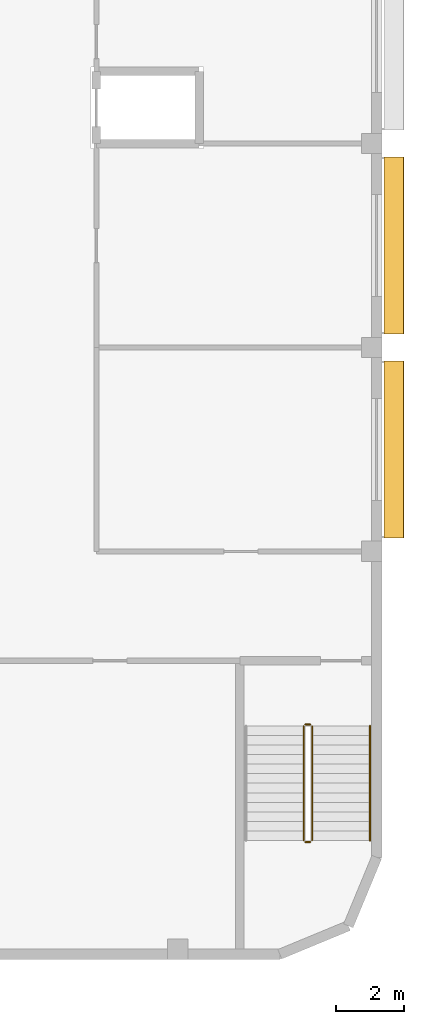
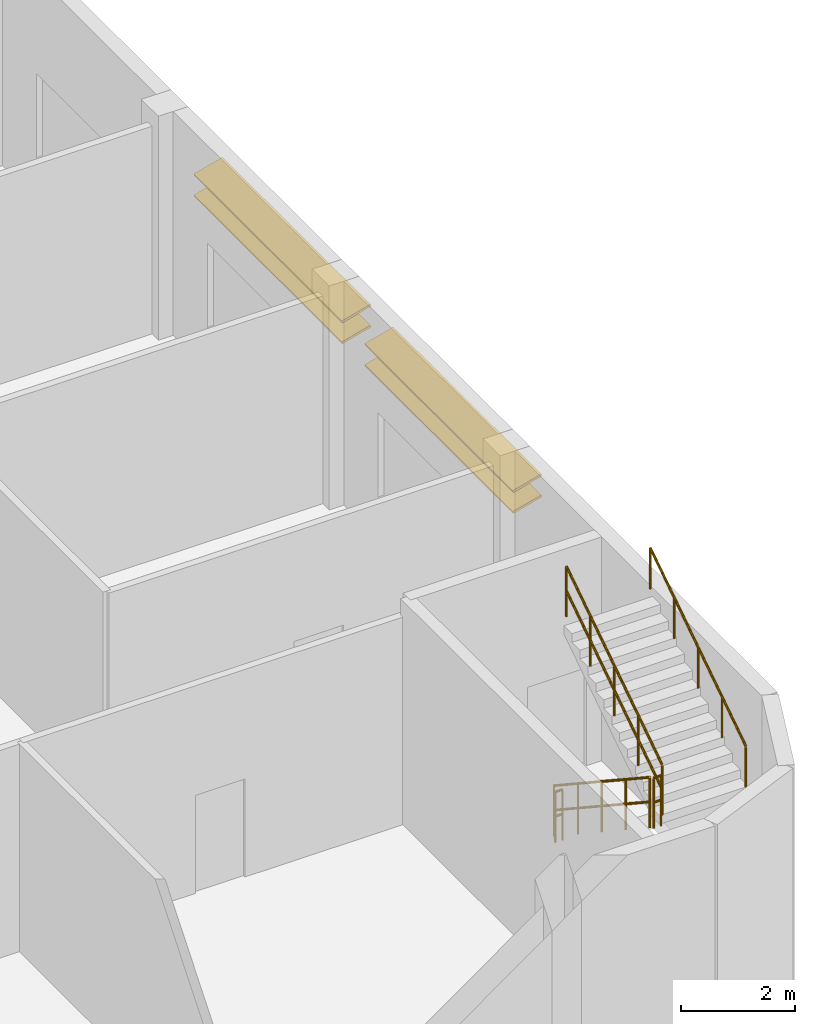
# One storey, part 43 of 45: 5 railings, 4 shading devices.
"""IFC4 building model written with IfcOpenShell, lengths in metres."""

from ifc_helpers import new_model, si_unit, direction, frame, origin, origin_2d, place, context, subcontext, project, spatial, rectangle, circle, extrude, material, material_profile, profile_set, type_object, element, save


model = new_model("IFC4")

# Units and contexts
model_context = context("Model", 3, precision=1e-05, world=origin(), true_north=direction((0.0, 1.0)))
body_context = subcontext(model_context, "Body", "Model", "MODEL_VIEW")
ifc_project = project(units=[si_unit("LENGTHUNIT", "METRE"), si_unit("AREAUNIT", "SQUARE_METRE"), si_unit("VOLUMEUNIT", "CUBIC_METRE"), si_unit("PLANEANGLEUNIT", "RADIAN"), si_unit("MASSUNIT", "GRAM", prefix="KILO")], contexts=[model_context])

# Site, building, storey
site_placement = place(None, origin())
site = spatial("IfcSite", under=ifc_project, at=site_placement, CompositionType="ELEMENT")
building_placement = place(site_placement, origin())
building = spatial("IfcBuilding", under=site, at=building_placement, Name="Nakaniwa Court", CompositionType="ELEMENT")
storey_placement = place(building_placement, frame((0.0, 0.0, 6.60009765625)))
storey = spatial("IfcBuildingStorey", under=building, at=storey_placement, Name="L01", CompositionType="ELEMENT", Elevation=6.60009765625)

# Railings
ifc_material_1 = material(Name="Black powder-coated steel flat bar balustrade S275", Category="steel")
railing_type_1 = type_object("IfcRailingType", Name="Hall guard 1100", PredefinedType="GUARDRAIL", material=ifc_material_1)
railing_1_placement = place(storey_placement, frame((215.699951171875, 62.860107421875, 0.1845703125)))
element("IfcRailing", 1, at=railing_1_placement, inside=storey, type_object=railing_type_1, Name="L01 ST-H3 stair guard 1", PredefinedType="GUARDRAIL", context=body_context, shape_type="SweptSolid", body=[
    extrude(circle(Radius=0.02392578125, at=origin_2d()), frame((0.0, 0.0, 1.076171875), z_axis=(0.0, -0.834876476806, 0.550437342915), x_axis=(1.0, 0.0, 0.0)), (0.0, 0.0, 1.0), 4.024658203125),
    extrude(circle(Radius=0.02392578125, at=origin_2d()), frame((0.0, 0.0, 0.550048828125), z_axis=(0.0, -0.834876476806, 0.550437342915), x_axis=(1.0, 0.0, 0.0)), (0.0, 0.0, 1.0), 4.024658203125),
    extrude(circle(Radius=0.02099609375, at=origin_2d()), origin(), (0.0, 0.0, 1.0), 1.052001953125),
    extrude(circle(Radius=0.02099609375, at=origin_2d()), frame((0.0, -0.840087890625, 0.5537109375)), (0.0, 0.0, 1.0), 1.052001953125),
    extrude(circle(Radius=0.02099609375, at=origin_2d()), frame((0.0, -1.68017578125, 1.107666015625)), (0.0, 0.0, 1.0), 1.052001953125),
    extrude(circle(Radius=0.02099609375, at=origin_2d()), frame((0.0, -2.52001953125, 1.66162109375)), (0.0, 0.0, 1.0), 1.052001953125),
    extrude(circle(Radius=0.02099609375, at=origin_2d()), frame((0.0, -3.360107421875, 2.21533203125)), (0.0, 0.0, 1.0), 1.052001953125),
])
railing_2_placement = place(storey_placement, frame((215.75, 59.449951171875, 2.39990234375)))
element("IfcRailing", 2, at=railing_2_placement, inside=storey, type_object=railing_type_1, Name="L01 ST-H3 stair guard 2", PredefinedType="GUARDRAIL", context=body_context, shape_type="SweptSolid", body=[
    extrude(circle(Radius=0.02392578125, at=origin_2d()), frame((0.0, 0.0, 1.076171875), z_axis=(1.0, 0.0, 0.0), x_axis=(0.0, 1.0, 0.0)), (0.0, 0.0, 1.0), 0.14990234375),
    extrude(circle(Radius=0.02392578125, at=origin_2d()), frame((0.0, 0.0, 0.550048828125), z_axis=(1.0, 0.0, 0.0), x_axis=(0.0, 1.0, 0.0)), (0.0, 0.0, 1.0), 0.14990234375),
    extrude(circle(Radius=0.02099609375, at=origin_2d()), origin(), (0.0, 0.0, 1.0), 1.052001953125),
    extrude(circle(Radius=0.02099609375, at=origin_2d()), frame((0.14990234375, 0.0, 0.0)), (0.0, 0.0, 1.0), 1.052001953125),
])
railing_3_placement = place(storey_placement, frame((215.949951171875, 59.5, 2.58447265625)))
element("IfcRailing", 3, at=railing_3_placement, inside=storey, type_object=railing_type_1, Name="L01 ST-H3 stair guard 3", PredefinedType="GUARDRAIL", context=body_context, shape_type="SweptSolid", body=[
    extrude(circle(Radius=0.02392578125, at=origin_2d()), frame((0.0, 0.0, 1.076171875), z_axis=(0.0, 0.834876476806, 0.550437342915), x_axis=(-1.0, 0.0, 0.0)), (0.0, 0.0, 1.0), 4.024658203125),
    extrude(circle(Radius=0.02392578125, at=origin_2d()), frame((0.0, 0.0, 0.550048828125), z_axis=(0.0, 0.834876476806, 0.550437342915), x_axis=(-1.0, 0.0, 0.0)), (0.0, 0.0, 1.0), 4.024658203125),
    extrude(circle(Radius=0.02099609375, at=origin_2d()), origin(), (0.0, 0.0, 1.0), 1.052001953125),
    extrude(circle(Radius=0.02099609375, at=origin_2d()), frame((0.0, 0.840087890625, 0.5537109375)), (0.0, 0.0, 1.0), 1.052001953125),
    extrude(circle(Radius=0.02099609375, at=origin_2d()), frame((0.0, 1.68017578125, 1.107666015625)), (0.0, 0.0, 1.0), 1.052001953125),
    extrude(circle(Radius=0.02099609375, at=origin_2d()), frame((0.0, 2.52001953125, 1.66162109375)), (0.0, 0.0, 1.0), 1.052001953125),
    extrude(circle(Radius=0.02099609375, at=origin_2d()), frame((0.0, 3.360107421875, 2.21533203125)), (0.0, 0.0, 1.0), 1.052001953125),
])
railing_4_placement = place(storey_placement, frame((215.75, 62.909912109375, 0.0)))
element("IfcRailing", 4, at=railing_4_placement, inside=storey, type_object=railing_type_1, Name="L01 ST-H3 stair guard 4", PredefinedType="GUARDRAIL", context=body_context, shape_type="SweptSolid", body=[
    extrude(circle(Radius=0.02392578125, at=origin_2d()), frame((0.0, 0.0, 1.076171875), z_axis=(1.0, 0.0, 0.0), x_axis=(0.0, 1.0, 0.0)), (0.0, 0.0, 1.0), 0.14990234375),
    extrude(circle(Radius=0.02392578125, at=origin_2d()), frame((0.0, 0.0, 0.550048828125), z_axis=(1.0, 0.0, 0.0), x_axis=(0.0, 1.0, 0.0)), (0.0, 0.0, 1.0), 0.14990234375),
    extrude(circle(Radius=0.02099609375, at=origin_2d()), origin(), (0.0, 0.0, 1.0), 1.052001953125),
    extrude(circle(Radius=0.02099609375, at=origin_2d()), frame((0.14990234375, 0.0, 0.0)), (0.0, 0.0, 1.0), 1.052001953125),
])

# Shading devices
ifc_material_2 = material(Name="Perforated charcoal ceramic louvre blade")
ifc_material_profile = material_profile(ifc_material_2, rectangle(XDim=0.60009765625, YDim=0.050048828125, at=origin_2d()), Name="Hall perforated ceramic louvre blade")
ifc_profile_set = profile_set([ifc_material_profile], Name="Perforated charcoal ceramic louvre blade")
shading_device_type = type_object("IfcShadingDeviceType", Name="Hall perforated ceramic louvre blade", PredefinedType="JALOUSIE", material=ifc_profile_set)
for number, where, z_axis, x_axis, name in (
    (5, (218.356201171875, 79.60009765625, 3.0), (0.0, -1.0, 0.0), (0.965925826289, 0.0, 0.258819045103), "Louvre blade L01 026.1"),
    (6, (218.356201171875, 79.60009765625, 3.449951171875), (0.0, -1.0, 0.0), (0.965925826289, 0.0, 0.258819045103), "Louvre blade L01 026.2"),
    (7, (218.356201171875, 73.60009765625, 3.0), (0.0, -1.0, 0.0), (0.965925826289, 0.0, 0.258819045103), "Louvre blade L01 027.1"),
    (8, (218.356201171875, 73.60009765625, 3.449951171875), (0.0, -1.0, 0.0), (0.965925826289, 0.0, 0.258819045103), "Louvre blade L01 027.2"),
):
    element("IfcShadingDevice", number, at=place(storey_placement, frame(where, z_axis=z_axis, x_axis=x_axis)), inside=storey, type_object=shading_device_type, Name=name, PredefinedType="JALOUSIE", context=body_context, shape_type="SweptSolid", body=[
        extrude(rectangle(XDim=0.60009765625, YDim=0.050048828125, at=origin_2d()), origin(), (0.0, 0.0, 1.0), 5.2001953125),
    ])

# Railing
ifc_material_3 = material(Name="Brushed stainless steel handrail Grade 304", Category="steel")
railing_type_2 = type_object("IfcRailingType", Name="Hall stair handrail 900", PredefinedType="HANDRAIL", material=ifc_material_3)
railing_5_placement = place(storey_placement, frame((217.64990234375, 59.5, 2.58447265625)))
element("IfcRailing", 9, at=railing_5_placement, inside=storey, type_object=railing_type_2, Name="L01 ST-H3 stair handrail 2", PredefinedType="HANDRAIL", context=body_context, shape_type="SweptSolid", body=[
    extrude(circle(Radius=0.02392578125, at=origin_2d()), frame((0.0, 0.0, 0.8759765625), z_axis=(0.0, 0.834876476806, 0.550437342915), x_axis=(-1.0, 0.0, 0.0)), (0.0, 0.0, 1.0), 4.024658203125),
    extrude(circle(Radius=0.02099609375, at=origin_2d()), origin(), (0.0, 0.0, 1.0), 0.851806640625),
    extrude(circle(Radius=0.02099609375, at=origin_2d()), frame((0.0, 0.840087890625, 0.5537109375)), (0.0, 0.0, 1.0), 0.851806640625),
    extrude(circle(Radius=0.02099609375, at=origin_2d()), frame((0.0, 1.68017578125, 1.107666015625)), (0.0, 0.0, 1.0), 0.851806640625),
    extrude(circle(Radius=0.02099609375, at=origin_2d()), frame((0.0, 2.52001953125, 1.66162109375)), (0.0, 0.0, 1.0), 0.851806640625),
    extrude(circle(Radius=0.02099609375, at=origin_2d()), frame((0.0, 3.360107421875, 2.21533203125)), (0.0, 0.0, 1.0), 0.851806640625),
])

save(model, "model.ifc")
